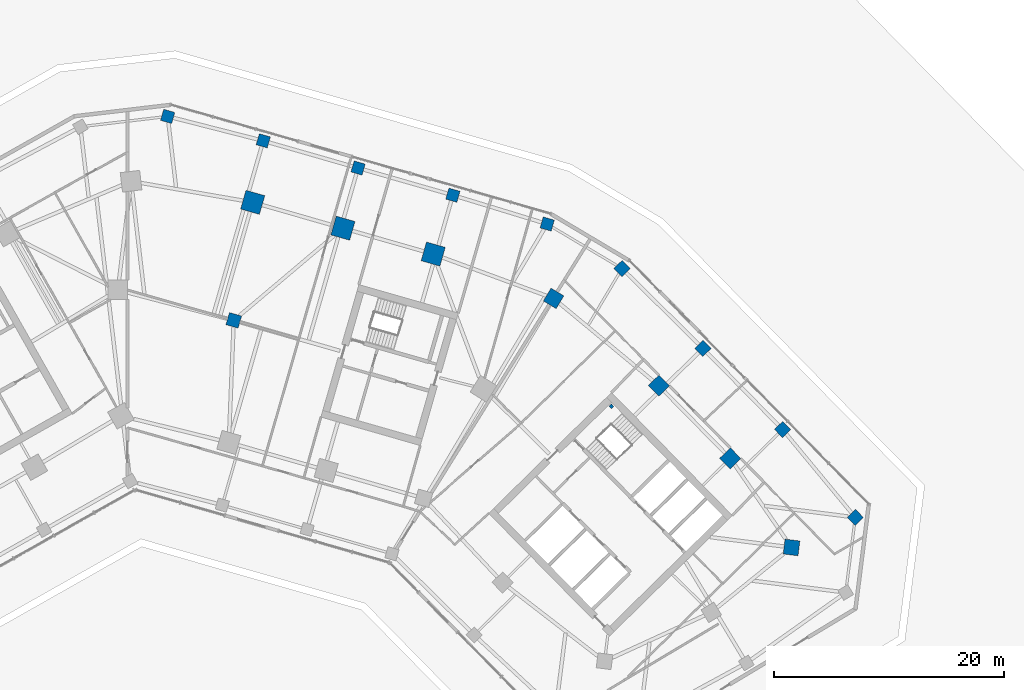
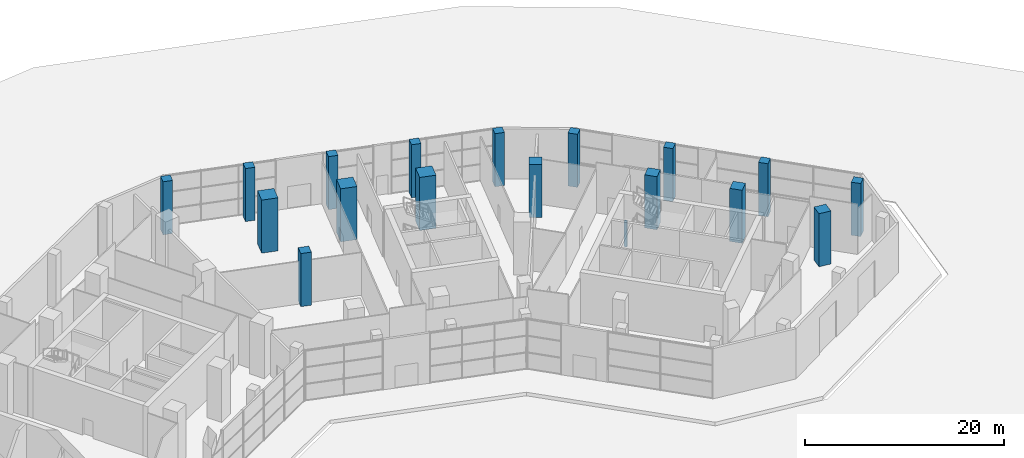
# One storey, part 2 of 22: 18 columns.
"""IFC4 building model written with IfcOpenShell, lengths in metres."""

from ifc_helpers import new_model, si_unit, direction, frame, origin, origin_2d, place, context, subcontext, project, spatial, rectangle, extrude, material, material_profile, profile_set, type_object, element, save


model = new_model("IFC4")

# Units and contexts
model_context = context("Model", 3, precision=1e-05, world=origin(), true_north=direction((0.0, 1.0)))
body_context = subcontext(model_context, "Body", "Model", "MODEL_VIEW")
ifc_project = project(units=[si_unit("LENGTHUNIT", "METRE"), si_unit("AREAUNIT", "SQUARE_METRE"), si_unit("VOLUMEUNIT", "CUBIC_METRE"), si_unit("PLANEANGLEUNIT", "RADIAN"), si_unit("MASSUNIT", "GRAM", prefix="KILO")], contexts=[model_context])

# Site, building, storey
site_placement = place(None, origin())
site = spatial("IfcSite", under=ifc_project, at=site_placement, CompositionType="ELEMENT")
building_placement = place(site_placement, origin())
building = spatial("IfcBuilding", under=site, at=building_placement, Name="Binnacle Exchange Tower", CompositionType="ELEMENT")
storey_placement = place(building_placement, origin())
storey = spatial("IfcBuildingStorey", under=building, at=storey_placement, Name="L00", CompositionType="ELEMENT", Elevation=0.0)

# Columns
ifc_material_1 = material(Name="Concrete C60/75", Category="concrete")
ifc_material_profile_1 = material_profile(ifc_material_1, rectangle(XDim=1.10009765625, YDim=1.10009765625, at=origin_2d()), Name="Column 1100x1100 C60/75")
ifc_profile_set_1 = profile_set([ifc_material_profile_1], Name="Concrete C60/75")
column_type_1 = type_object("IfcColumnType", Name="Column 1100x1100 C60/75", PredefinedType="COLUMN", material=ifc_profile_set_1)
column_1_placement = place(storey_placement, frame((9.240966796875, 57.35009765625, 0.0), z_axis=(0.0, 0.0, 1.0), x_axis=(0.961261695938, -0.275637355817, 0.0)))
element("IfcColumn", 1, at=column_1_placement, inside=storey, type_object=column_type_1, Name="S:COL:C19:L00", PredefinedType="COLUMN", context=body_context, shape_type="SweptSolid", body=[
    extrude(rectangle(XDim=1.10009765625, YDim=1.10009765625, at=origin_2d()), origin(), (0.0, 0.0, 1.0), 6.5),
])
ifc_material_2 = material(Name="Concrete C50/60", Category="concrete")
ifc_material_profile_2 = material_profile(ifc_material_2, rectangle(XDim=0.300048828125, YDim=0.300048828125, at=origin_2d()), Name="Landing post 300x300")
ifc_profile_set_2 = profile_set([ifc_material_profile_2], Name="Concrete C50/60")
column_type_2 = type_object("IfcColumnType", Name="Landing post 300x300 Concrete C50/60", PredefinedType="COLUMN", material=ifc_profile_set_2)
column_2_placement = place(storey_placement, frame((42.1201171875, 49.864013671875, 0.0), z_axis=(0.0, 0.0, 1.0), x_axis=(0.7009092643, -0.713250449154, 0.0)))
element("IfcColumn", 2, at=column_2_placement, inside=storey, type_object=column_type_2, Name="I:STB1-L00-P1", PredefinedType="COLUMN", context=body_context, shape_type="SweptSolid", body=[
    extrude(rectangle(XDim=0.300048828125, YDim=0.300048828125, at=origin_2d()), origin(), (0.0, 0.0, 1.0), 3.050048828125),
])
ifc_material_3 = material(Name="Concrete C70/85", Category="concrete")
ifc_material_profile_3 = material_profile(ifc_material_3, rectangle(XDim=1.300048828125, YDim=1.300048828125, at=origin_2d()), Name="Mega column 1300x1300 C70/85")
ifc_profile_set_3 = profile_set([ifc_material_profile_3], Name="Concrete C70/85")
column_type_3 = type_object("IfcColumnType", Name="Mega column 1300x1300 C70/85", PredefinedType="COLUMN", material=ifc_profile_set_3)
for number, where, z_axis, x_axis, name in (
    (3, (37.0849609375, 59.262451171875, 0.0), (0.0, 0.0, 1.0), (-0.859406411501, 0.511293086077, 0.0), "S:COL:MC57:L00"),
    (4, (57.799072265625, 37.5810546875, 0.0), (0.0, 0.0, 1.0), (0.126198969136, 0.99200494968, 0.0), "S:COL:MC62:L00"),
    (5, (52.466796875, 45.33935546875, 0.0), (0.0, 0.0, 1.0), (-0.7009092643, 0.713250449154, 0.0), "S:COL:MC60:L00"),
    (6, (46.248291015625, 51.667236328125, 0.0), (0.0, 0.0, 1.0), (-0.7009092643, 0.713250449154, 0.0), "S:COL:MC58:L00"),
):
    element("IfcColumn", number, at=place(storey_placement, frame(where, z_axis=z_axis, x_axis=x_axis)), inside=storey, type_object=column_type_3, Name=name, PredefinedType="COLUMN", context=body_context, shape_type="SweptSolid", body=[
        extrude(rectangle(XDim=1.300048828125, YDim=1.300048828125, at=origin_2d()), origin(), (0.0, 0.0, 1.0), 6.5),
    ])
ifc_material_profile_4 = material_profile(ifc_material_3, rectangle(XDim=1.699951171875, YDim=1.699951171875, at=origin_2d()), Name="Mega column 1700x1700 C70/85")
ifc_profile_set_4 = profile_set([ifc_material_profile_4], Name="Concrete C70/85")
column_type_4 = type_object("IfcColumnType", Name="Mega column 1700x1700 C70/85", PredefinedType="COLUMN", material=ifc_profile_set_4)
for number, where, z_axis, x_axis, name in (
    (7, (26.602783203125, 63.12353515625, 0.0), (0.0, 0.0, 1.0), (-0.961261695938, 0.275637355817, 0.0), "S:COL:MC52:L00"),
    (8, (18.746337890625, 65.376220703125, 0.0), (0.0, 0.0, 1.0), (-0.961261695938, 0.275637355817, 0.0), "S:COL:MC50:L00"),
    (9, (10.889892578125, 67.62890625, 0.0), (0.0, 0.0, 1.0), (-0.961261695938, 0.275637355817, 0.0), "S:COL:MC48:L00"),
):
    element("IfcColumn", number, at=place(storey_placement, frame(where, z_axis=z_axis, x_axis=x_axis)), inside=storey, type_object=column_type_4, Name=name, PredefinedType="COLUMN", context=body_context, shape_type="SweptSolid", body=[
        extrude(rectangle(XDim=1.699951171875, YDim=1.699951171875, at=origin_2d()), origin(), (0.0, 0.0, 1.0), 6.5),
    ])
ifc_material_profile_5 = material_profile(ifc_material_2, rectangle(XDim=1.0, YDim=1.0, at=origin_2d()), Name="Podium column 1000x1000 C50/60")
ifc_profile_set_5 = profile_set([ifc_material_profile_5], Name="Concrete C50/60")
column_type_5 = type_object("IfcColumnType", Name="Podium column 1000x1000 C50/60", PredefinedType="COLUMN", material=ifc_profile_set_5)
for number, where, z_axis, x_axis, name in (
    (10, (36.5283203125, 65.739013671875, 0.0), (0.0, 0.0, 1.0), (-0.961261695938, 0.275637355817, 0.0), "S:COL:C25:L00"),
    (11, (28.31591796875, 68.249755859375, 0.0), (0.0, 0.0, 1.0), (-0.961261695938, 0.275637355817, 0.0), "S:COL:C24:L00"),
    (12, (20.0625, 70.616455078125, 0.0), (0.0, 0.0, 1.0), (-0.961261695938, 0.275637355817, 0.0), "S:COL:C22:L00"),
    (13, (11.808837890625, 72.983154296875, 0.0), (0.0, 0.0, 1.0), (-0.961261695938, 0.275637355817, 0.0), "S:COL:C20:L00"),
    (14, (3.486083984375, 75.109619140625, 0.0), (0.0, 0.0, 1.0), (-0.961261695938, 0.275637355817, 0.0), "S:COL:C18:L00"),
    (15, (63.35205078125, 40.197509765625, 0.0), (0.0, 0.0, 1.0), (-0.7009092643, 0.713250449154, 0.0), "S:COL:C31:L00"),
    (16, (57.02197265625, 47.8515625, 0.0), (0.0, 0.0, 1.0), (-0.7009092643, 0.713250449154, 0.0), "S:COL:C30:L00"),
    (17, (50.085693359375, 54.91015625, 0.0), (0.0, 0.0, 1.0), (-0.7009092643, 0.713250449154, 0.0), "S:COL:C28:L00"),
    (18, (43.04248046875, 61.86328125, 0.0), (0.0, 0.0, 1.0), (-0.7009092643, 0.713250449154, 0.0), "S:COL:C27:L00"),
):
    element("IfcColumn", number, at=place(storey_placement, frame(where, z_axis=z_axis, x_axis=x_axis)), inside=storey, type_object=column_type_5, Name=name, PredefinedType="COLUMN", context=body_context, shape_type="SweptSolid", body=[
        extrude(rectangle(XDim=1.0, YDim=1.0, at=origin_2d()), origin(), (0.0, 0.0, 1.0), 6.5),
    ])

save(model, "model.ifc")
